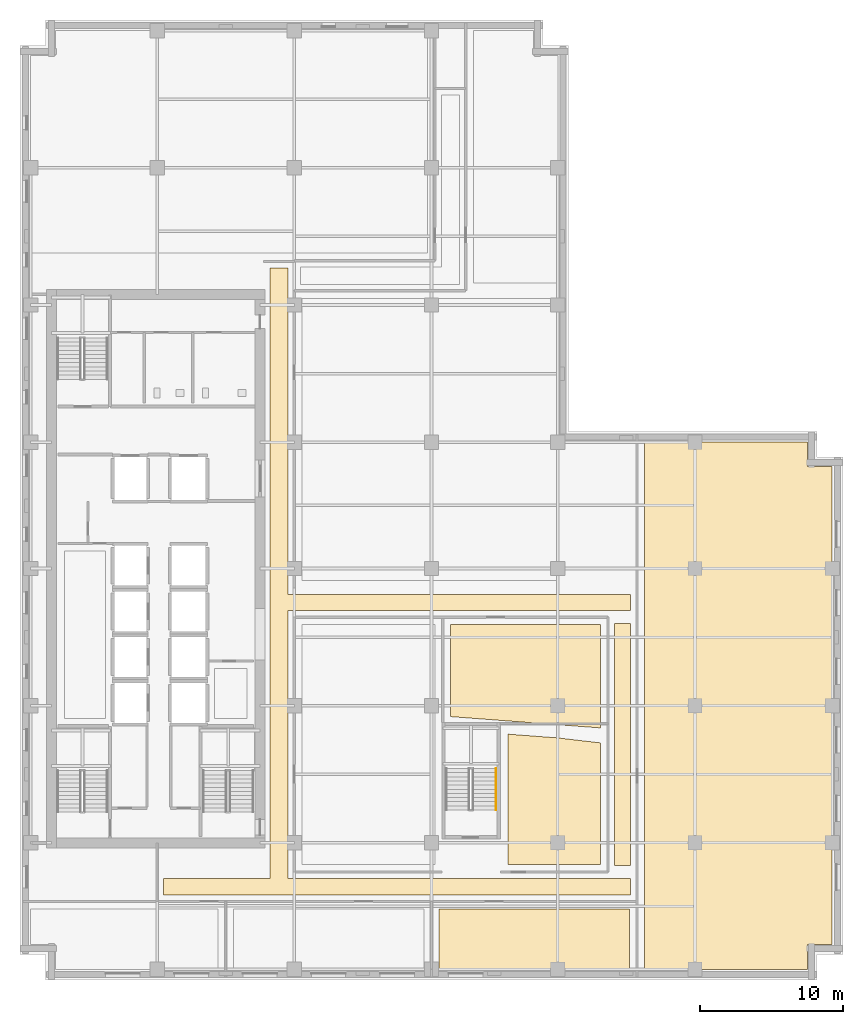
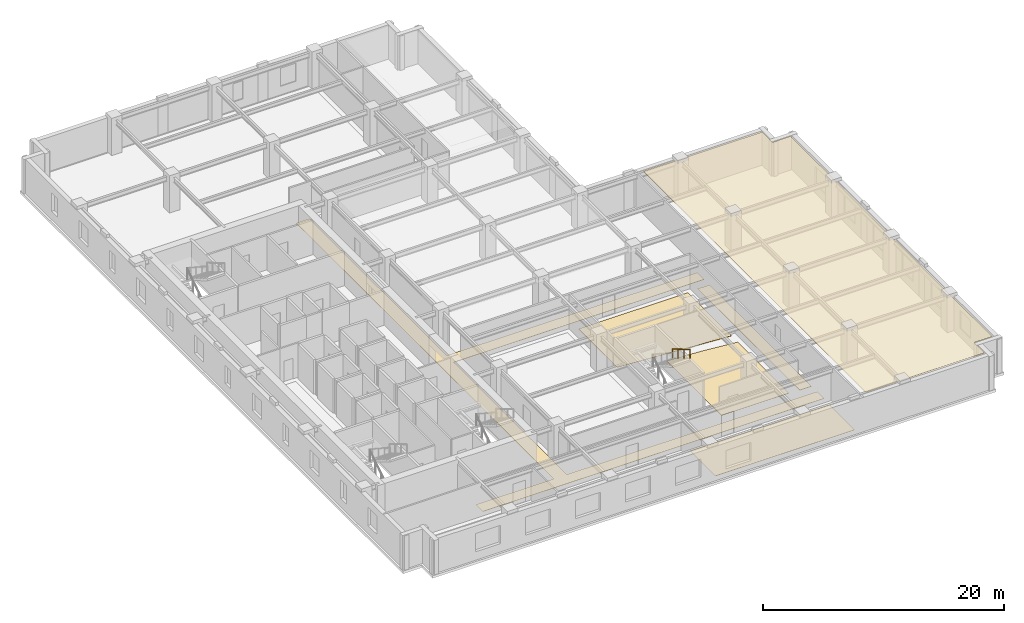
# One storey, part 9 of 12: 6 coverings, 1 railing.
"""IFC4 building model written with IfcOpenShell, lengths in metres."""

import ifcopenshell
import ifcopenshell.guid

model = None  # the IFC model being written
_history = None  # IfcOwnerHistory: only IFC2X3 demands one
_inside = {}  # id of a spatial element -> (the spatial element, [elements in it])
_under = {}  # id of a project, library or spatial element -> (it, [spatial elements below it])
_declared = {}  # id of a project -> (the project, [libraries it declares])
_typed = {}  # id of a type object -> (the type object, [elements of that type])
_made_of = {}  # id of a material, layer set ... -> (it, [elements and type objects made of it])


def new_model(schema):
    """Start an empty IFC model of exactly this schema.

    Asked for "IFC4X3", IfcOpenShell would pick the latest addendum, in which some entities
    have other attributes; the version numbers below select the first issue.
    IFC2X3 requires an IfcOwnerHistory on every rooted entity: one is made here for all.
    """
    global model, _history
    if schema == "IFC4X3":
        model = ifcopenshell.file(schema_version=(4, 3, 0, 0))
    else:
        model = ifcopenshell.file(schema=schema)
    _inside.clear()
    _under.clear()
    _declared.clear()
    _typed.clear()
    _made_of.clear()
    _history = None
    if model.schema == "IFC2X3":
        org = make("IfcOrganization", Name="unknown")
        user = make(
            "IfcPersonAndOrganization",
            ThePerson=make("IfcPerson", FamilyName="unknown"),
            TheOrganization=org,
        )
        app = make(
            "IfcApplication",
            ApplicationDeveloper=org,
            Version="unknown",
            ApplicationFullName="unknown",
            ApplicationIdentifier="unknown",
        )
        _history = make(
            "IfcOwnerHistory",
            OwningUser=user,
            OwningApplication=app,
            ChangeAction="ADDED",
            CreationDate=0,
        )
    return model


def make(cls, **values):
    """One entity of the class cls with the attributes given. An attribute that is None is left unset."""
    return model.create_entity(
        cls, **{name: value for name, value in values.items() if value is not None}
    )


def rooted(cls, **values):
    """An entity with a GlobalId (a new one), such as an element, a storey or a relation."""
    return make(cls, GlobalId=ifcopenshell.guid.new(), OwnerHistory=_history, **values)


def si_unit(unit_type, name, prefix=None):
    """IfcSIUnit, for example si_unit("LENGTHUNIT", "METRE", prefix="MILLI")."""
    return make("IfcSIUnit", UnitType=unit_type, Prefix=prefix, Name=name)


def assignment(units):
    """IfcUnitAssignment: the units of a project."""
    return None if units is None else make("IfcUnitAssignment", Units=units)


def point(xyz):
    """IfcCartesianPoint."""
    return None if xyz is None else make("IfcCartesianPoint", Coordinates=xyz)


def direction(xyz):
    """IfcDirection."""
    return None if xyz is None else make("IfcDirection", DirectionRatios=xyz)


def frame(location, z_axis=None, x_axis=None):
    """IfcAxis2Placement3D, a coordinate frame: its origin and axes. An axis left out is left unset."""
    return make(
        "IfcAxis2Placement3D",
        Location=point(location),
        Axis=direction(z_axis),
        RefDirection=direction(x_axis),
    )


def frame_2d(location, x_axis=None):
    """IfcAxis2Placement2D, a coordinate frame in the plane: its origin and x axis."""
    return make(
        "IfcAxis2Placement2D", Location=point(location), RefDirection=direction(x_axis)
    )


def origin():
    """The frame at (0, 0, 0) with its axes left unset."""
    return frame((0.0, 0.0, 0.0))


def origin_2d():
    """The frame at (0, 0) in the plane with its x axis left unset."""
    return frame_2d((0.0, 0.0))


def place(relative_to, where):
    """IfcLocalPlacement: puts the frame where relative to a parent placement (None: the world)."""
    return make(
        "IfcLocalPlacement", PlacementRelTo=relative_to, RelativePlacement=where
    )


def context(
    kind, dimensions, precision=None, world=None, true_north=None, identifier=None
):
    """IfcGeometricRepresentationContext, for example the 3D "Model" context."""
    return make(
        "IfcGeometricRepresentationContext",
        ContextIdentifier=identifier,
        ContextType=kind,
        CoordinateSpaceDimension=dimensions,
        Precision=precision,
        WorldCoordinateSystem=world,
        TrueNorth=true_north,
    )


def subcontext(parent, identifier, kind, view, scale=None):
    """IfcGeometricRepresentationSubContext, for example "Body" below "Model"."""
    return make(
        "IfcGeometricRepresentationSubContext",
        ContextIdentifier=identifier,
        ContextType=kind,
        ParentContext=parent,
        TargetScale=scale,
        TargetView=view,
    )


def project(units=None, contexts=None):
    """IfcProject with its units and contexts."""
    return rooted(
        "IfcProject",
        Name="project",
        RepresentationContexts=contexts,
        UnitsInContext=assignment(units),
    )


def spatial(cls, under=None, at=None, **own):
    """A site, building, storey or space (cls), placed at a placement, below another one or the project."""
    s = rooted(cls, ObjectPlacement=at, **own)
    if under is not None:
        _under.setdefault(under.id(), (under, []))[1].append(s)
    return s


def polyline(points):
    """IfcPolyline through the points."""
    return make("IfcPolyline", Points=[point(p) for p in points])


def profile(cls, at=None, kind="AREA", **sizes):
    """A parametric profile (cls). Its sizes go by their IFC names, for example OverallWidth=200.0."""
    return make(cls, ProfileType=kind, Position=at, **sizes)


def circle(**sizes):
    """IfcCircleProfileDef."""
    return profile("IfcCircleProfileDef", **sizes)


def outline(outer, holes=None, kind="AREA"):
    """IfcArbitraryClosedProfileDef: a profile drawn as a closed curve; with holes, ...WithVoids."""
    if holes is None:
        return make("IfcArbitraryClosedProfileDef", ProfileType=kind, OuterCurve=outer)
    return make(
        "IfcArbitraryProfileDefWithVoids",
        ProfileType=kind,
        OuterCurve=outer,
        InnerCurves=holes,
    )


def extrude(swept, where, along, depth):
    """IfcExtrudedAreaSolid: the profile swept, set in the frame where, extruded along a direction by depth."""
    return make(
        "IfcExtrudedAreaSolid",
        SweptArea=swept,
        Position=where,
        ExtrudedDirection=direction(along),
        Depth=depth,
    )


def shape(context_of_items, identifier, shape_type, items):
    """IfcShapeRepresentation: the items that make up one representation, for example the "Body"."""
    return make(
        "IfcShapeRepresentation",
        ContextOfItems=context_of_items,
        RepresentationIdentifier=identifier,
        RepresentationType=shape_type,
        Items=items,
    )


def material(Name=None, Category=None):
    """IfcMaterial."""
    return make("IfcMaterial", Name=Name, Category=Category)


def layer(
    of_material, thickness, ventilated=None, Name=None, Category=None, Priority=None
):
    """IfcMaterialLayer: one layer of a wall or slab, of a material (None: an air gap)."""
    return make(
        "IfcMaterialLayer",
        Material=of_material,
        LayerThickness=thickness,
        IsVentilated=ventilated,
        Name=Name,
        Category=Category,
        Priority=Priority,
    )


def layer_set(layers, Name=None):
    """IfcMaterialLayerSet."""
    return make("IfcMaterialLayerSet", MaterialLayers=layers, LayerSetName=Name)


def made_of(thing, what):
    """Note that an element or type object is made of a material, layer set ...; save() writes the relation."""
    if what is not None:
        _made_of.setdefault(what.id(), (what, []))[1].append(thing)
    return thing


def type_object(cls, material=None, **own):
    """A type object (cls), such as IfcWallType, which elements share."""
    return made_of(rooted(cls, **own), material)


def element(
    cls,
    number,
    at=None,
    inside=None,
    cuts=None,
    type_object=None,
    material=None,
    context=None,
    identifier="Body",
    shape_type=None,
    held_by="IfcProductDefinitionShape",
    body=None,
    shapes=None,
    **own,
):
    """One element of the class cls, such as IfcWall. Its Tag is "e" and its number.

    at: its placement. inside: the storey or other place that contains it. cuts: it is an
    opening in that element (IfcRelVoidsElement). A single representation is given by context,
    identifier, shape_type and body (its items); several are given by shapes. held_by: the class
    of the entity that holds the representations. save() writes the other relations.
    """
    e = rooted(cls, Tag="e%d" % number, ObjectPlacement=at, **own)
    if body is not None:
        shapes = [shape(context, identifier, shape_type, body)]
    if shapes is not None:
        e.Representation = make(held_by, Representations=shapes)
    if inside is not None:
        _inside.setdefault(inside.id(), (inside, []))[1].append(e)
    if cuts is not None:
        rooted(
            "IfcRelVoidsElement", RelatingBuildingElement=cuts, RelatedOpeningElement=e
        )
    if type_object is not None:
        _typed.setdefault(type_object.id(), (type_object, []))[1].append(e)
    return made_of(e, material)


def aggregate(whole, parts):
    """IfcRelAggregates: a whole, such as a stair, and the parts it consists of."""
    return rooted("IfcRelAggregates", RelatingObject=whole, RelatedObjects=parts)


def save(model, path):
    """Write the relations noted so far, then the file.

    IfcRelAggregates (storeys below a building ...), IfcRelContainedInSpatialStructure (elements
    in a storey), IfcRelDefinesByType, IfcRelAssociatesMaterial and IfcRelDeclares: one each for
    every whole, place, type object, material and project.
    """
    for whole, parts in _under.values():
        aggregate(whole, parts)
    for where, things in _inside.values():
        rooted(
            "IfcRelContainedInSpatialStructure",
            RelatedElements=things,
            RelatingStructure=where,
        )
    for kind, things in _typed.values():
        rooted("IfcRelDefinesByType", RelatedObjects=things, RelatingType=kind)
    for what, things in _made_of.values():
        rooted("IfcRelAssociatesMaterial", RelatedObjects=things, RelatingMaterial=what)
    for by, libraries in _declared.values():
        rooted("IfcRelDeclares", RelatingContext=by, RelatedDefinitions=libraries)
    model.write(path)


model = new_model("IFC4")

# Units and contexts
model_context = context("Model", 3, precision=1e-05, world=origin(), true_north=direction((0.0, 1.0)))
body_context = subcontext(model_context, "Body", "Model", "MODEL_VIEW")
ifc_project = project(units=[si_unit("LENGTHUNIT", "METRE"), si_unit("AREAUNIT", "SQUARE_METRE"), si_unit("VOLUMEUNIT", "CUBIC_METRE"), si_unit("PLANEANGLEUNIT", "RADIAN"), si_unit("MASSUNIT", "GRAM", prefix="KILO")], contexts=[model_context])

# Site, building, storey
site_placement = place(None, origin())
site = spatial("IfcSite", under=ifc_project, at=site_placement, CompositionType="ELEMENT")
building_placement = place(site_placement, origin())
building = spatial("IfcBuilding", under=site, at=building_placement, Name="Norrvale University Quadrangle", CompositionType="ELEMENT")
storey_placement = place(building_placement, frame((0.0, 0.0, 147.0)))
storey = spatial("IfcBuildingStorey", under=building, at=storey_placement, Name="L37", CompositionType="ELEMENT", Elevation=147.0)

# Coverings
ifc_material_1 = material(Name="Perforated Acoustic Mineral Ceiling")
ifc_layer_1 = layer(ifc_material_1, 0.02490234375, Name="Perforated Acoustic Mineral Ceiling")
ifc_layer_set_1 = layer_set([ifc_layer_1], Name="Perforated Acoustic Mineral Ceiling")
covering_type_1 = type_object("IfcCoveringType", Name="Covering Acoustic Ceiling 25", PredefinedType="CEILING", material=ifc_layer_set_1)
covering_1_placement = place(storey_placement, frame((0.0, 0.0, 3.455078125)))
element("IfcCovering", 1, at=covering_1_placement, inside=storey, type_object=covering_type_1, Name="Acoustic Ceiling RM-L37-E01", PredefinedType="CEILING", context=body_context, shape_type="SweptSolid", body=[
    extrude(outline(polyline([(43.72998046875, 0.75), (43.72998046875, 37.64990234375), (55.1298828125, 37.64990234375), (55.1298828125, 35.929931640625), (56.85009765625, 35.929931640625), (56.85009765625, 2.469970703125), (55.1298828125, 2.469970703125), (55.1298828125, 0.75), (43.72998046875, 0.75)])), origin(), (0.0, 0.0, 1.0), 0.02490234375),
])
ifc_material_2 = material(Name="Polished Terrazzo Flooring")
ifc_layer_2 = layer(ifc_material_2, 0.02490234375, Name="Polished Terrazzo Flooring")
ifc_layer_set_2 = layer_set([ifc_layer_2], Name="Polished Terrazzo Flooring")
covering_type_2 = type_object("IfcCoveringType", Name="Covering Terrazzo Floor 30", PredefinedType="FLOORING", material=ifc_layer_set_2)
covering_2_placement = place(storey_placement, origin())
element("IfcCovering", 2, at=covering_2_placement, inside=storey, type_object=covering_type_2, Name="Terrazzo Flooring RM-L37-CORR1", PredefinedType="FLOORING", context=body_context, shape_type="SweptSolid", body=[
    extrude(outline(polyline([(10.050048828125, 5.949951171875), (10.050048828125, 7.10009765625), (17.5, 7.10009765625), (17.5, 49.85009765625), (18.75, 49.85009765625), (18.75, 27.0), (42.75, 27.0), (42.75, 25.85009765625), (18.75, 25.85009765625), (18.75, 7.10009765625), (42.75, 7.10009765625), (42.75, 5.949951171875), (10.050048828125, 5.949951171875)])), origin(), (0.0, 0.0, 1.0), 0.02490234375),
])
covering_3_placement = place(storey_placement, origin())
element("IfcCovering", 3, at=covering_3_placement, inside=storey, type_object=covering_type_2, Name="Terrazzo Flooring RM-L37-CORR2", PredefinedType="FLOORING", context=body_context, shape_type="SweptSolid", body=[
    extrude(outline(polyline([(41.60009765625, 8.0), (41.60009765625, 24.949951171875), (42.75, 24.949951171875), (42.75, 8.0), (41.60009765625, 8.0)])), origin(), (0.0, 0.0, 1.0), 0.02490234375),
])
covering_4_placement = place(storey_placement, origin())
element("IfcCovering", 4, at=covering_4_placement, inside=storey, type_object=covering_type_2, Name="Terrazzo Flooring RM-L37-S03", PredefinedType="FLOORING", context=body_context, shape_type="SweptSolid", body=[
    extrude(outline(polyline([(29.330078125, 4.969970703125), (42.669921875, 4.969970703125), (42.669921875, 0.75), (29.330078125, 0.75), (29.330078125, 4.969970703125)])), origin(), (0.0, 0.0, 1.0), 0.02490234375),
])
covering_5_placement = place(storey_placement, origin())
element("IfcCovering", 5, at=covering_5_placement, inside=storey, type_object=covering_type_2, Name="Terrazzo Flooring RM-L37-ILH", PredefinedType="FLOORING", context=body_context, shape_type="SweptSolid", body=[
    extrude(outline(polyline([(30.1298828125, 18.43701171875), (30.1298828125, 24.8701171875), (40.6201171875, 24.8701171875), (40.6201171875, 17.64501953125), (30.1298828125, 18.43701171875)])), origin(), (0.0, 0.0, 1.0), 0.02490234375),
])
covering_6_placement = place(storey_placement, origin())
element("IfcCovering", 6, at=covering_6_placement, inside=storey, type_object=covering_type_2, Name="Terrazzo Flooring RM-L37-ISE", PredefinedType="FLOORING", context=body_context, shape_type="SweptSolid", body=[
    extrude(outline(polyline([(40.6201171875, 16.60009765625), (40.6201171875, 8.080078125), (34.14990234375, 8.080078125), (34.14990234375, 17.2109375), (37.62890625, 16.948974609375), (40.6201171875, 16.60009765625)])), origin(), (0.0, 0.0, 1.0), 0.02490234375),
])

# Railing
ifc_material_3 = material(Name="Stainless Steel 316L Handrail", Category="steel")
railing_type = type_object("IfcRailingType", Name="Railing Stair Handrail 920", PredefinedType="HANDRAIL", material=ifc_material_3)
railing_placement = place(storey_placement, frame((33.31005859375, 14.800048828125, 2.07275390625)))
element("IfcRailing", 7, at=railing_placement, inside=storey, type_object=railing_type, Name="Stair Upper Flight Handrail ST-04 L37", PredefinedType="HANDRAIL", context=body_context, shape_type="SweptSolid", body=[
    extrude(circle(Radius=0.02392578125, at=origin_2d()), frame((0.0, 0.0, 0.89599609375), z_axis=(0.0, -0.859160404282, 0.51170636083), x_axis=(1.0, 0.0, 0.0)), (0.0, 0.0, 1.0), 3.37548828125),
    extrude(circle(Radius=0.02099609375, at=origin_2d()), origin(), (0.0, 0.0, 1.0), 0.871826171875),
    extrude(circle(Radius=0.02099609375, at=origin_2d()), frame((0.0, -0.966796875, 0.57568359375)), (0.0, 0.0, 1.0), 0.871826171875),
    extrude(circle(Radius=0.02099609375, at=origin_2d()), frame((0.0, -1.933349609375, 1.151611328125)), (0.0, 0.0, 1.0), 0.871826171875),
    extrude(circle(Radius=0.02099609375, at=origin_2d()), frame((0.0, -2.900146484375, 1.727294921875)), (0.0, 0.0, 1.0), 0.871826171875),
])

save(model, "model.ifc")
